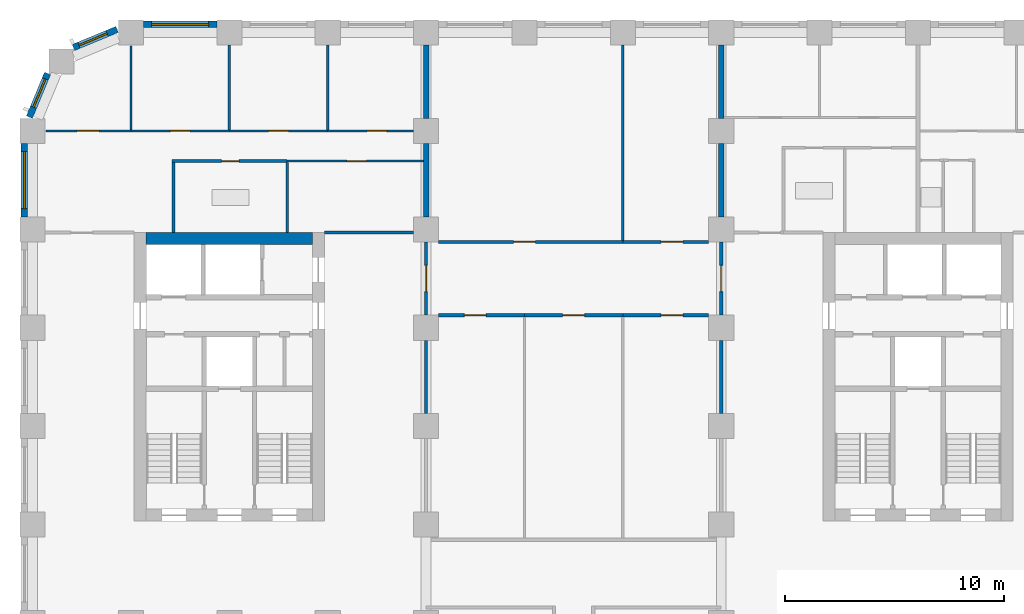
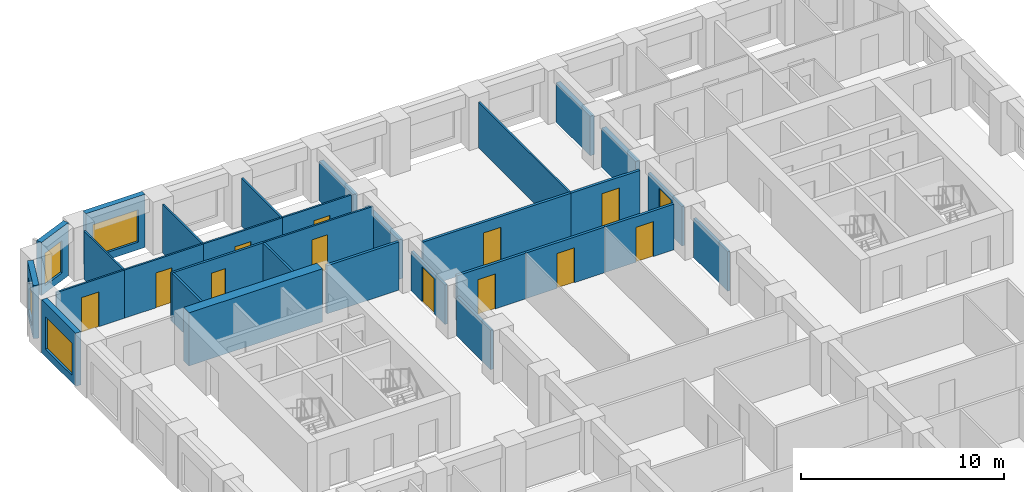
# One storey, part 7 of 13: 31 walls, 13 doors, 4 windows, 17 openings.
"""IFC4 building model written with IfcOpenShell, lengths in metres."""

from ifc_helpers import new_model, si_unit, direction, frame, frame_2d, origin, place, context, subcontext, project, spatial, rectangle, extrude, material, layer, layer_set, type_object, element, fill, save


model = new_model("IFC4")

# Units and contexts
model_context = context("Model", 3, precision=1e-05, world=origin(), true_north=direction((0.0, 1.0)))
body_context = subcontext(model_context, "Body", "Model", "MODEL_VIEW")
ifc_project = project(units=[si_unit("LENGTHUNIT", "METRE"), si_unit("AREAUNIT", "SQUARE_METRE"), si_unit("VOLUMEUNIT", "CUBIC_METRE"), si_unit("PLANEANGLEUNIT", "RADIAN"), si_unit("MASSUNIT", "GRAM", prefix="KILO")], contexts=[model_context])

# Site, building, storey
site_placement = place(None, origin())
site = spatial("IfcSite", under=ifc_project, at=site_placement, CompositionType="ELEMENT")
building_placement = place(site_placement, origin())
building = spatial("IfcBuilding", under=site, at=building_placement, Name="Girih Gate Residences", CompositionType="ELEMENT")
storey_placement = place(building_placement, frame((0.0, 0.0, 102.39990234375)))
storey = spatial("IfcBuildingStorey", under=building, at=storey_placement, Name="L28", CompositionType="ELEMENT", Elevation=102.39990234375)

# Walls
ifc_material_1 = material(Name="Gypsum board on steel studs", Category="steel")
ifc_layer_1 = layer(ifc_material_1, 0.25)
ifc_layer_set_1 = layer_set([ifc_layer_1], Name="Acoustic separating wall 250 mm")
wall_type_1 = type_object("IfcWallType", Name="Acoustic separating wall 250 mm", PredefinedType="PARTITIONING", material=ifc_layer_set_1)
for number, where, z_axis, x_axis, name in (
    (1, (18.0, 45.574951171875, 0.0), (0.0, 0.0, 1.0), (0.0, 1.0, 0.0), "L28 partition"),
    (2, (18.0, 41.074951171875, 0.0), (0.0, 0.0, 1.0), (0.0, 1.0, 0.0), "L28 partition"),
    (3, (31.5, 41.074951171875, 0.0), (0.0, 0.0, 1.0), (0.0, 1.0, 0.0), "L28 partition"),
):
    element("IfcWall", number, at=place(storey_placement, frame(where, z_axis=z_axis, x_axis=x_axis)), inside=storey, type_object=wall_type_1, Name=name, PredefinedType="PARTITIONING", context=body_context, shape_type="SweptSolid", body=[
        extrude(rectangle(XDim=3.35009765625, YDim=0.25, at=frame_2d((1.675048828125, 0.0))), origin(), (0.0, 0.0, 1.0), 2.380126953125),
    ])
wall_1_placement = place(storey_placement, frame((31.5, 45.56494140625, 0.0), z_axis=(0.0, 0.0, 1.0), x_axis=(0.0, 1.0, 0.0)))
element("IfcWall", 4, at=wall_1_placement, inside=storey, type_object=wall_type_1, Name="L28 partition", PredefinedType="PARTITIONING", context=body_context, shape_type="SweptSolid", body=[
    extrude(rectangle(XDim=3.360107421875, YDim=0.25, at=frame_2d((1.68017578125, 0.0))), origin(), (0.0, 0.0, 1.0), 2.380126953125),
])
ifc_layer_2 = layer(ifc_material_1, 0.14990234375)
ifc_layer_set_2 = layer_set([ifc_layer_2], Name="Compartment wall 150 mm")
wall_type_2 = type_object("IfcWallType", Name="Compartment wall 150 mm", PredefinedType="PARTITIONING", material=ifc_layer_set_2)
wall_2_placement = place(storey_placement, frame((13.35009765625, 40.35009765625, 0.0), z_axis=(0.0, 0.0, 1.0), x_axis=(1.0, 0.0, 0.0)))
element("IfcWall", 5, at=wall_2_placement, inside=storey, type_object=wall_type_2, Name="L28 partition", PredefinedType="PARTITIONING", context=body_context, shape_type="SweptSolid", body=[
    extrude(rectangle(XDim=4.074951171875, YDim=0.14990234375, at=frame_2d((2.03759765625, 0.0))), origin(), (0.0, 0.0, 1.0), 2.900146484375),
])

# Wall, opening, door
wall_3_placement = place(storey_placement, frame((18.574951171875, 39.925048828125, 0.0), z_axis=(0.0, 0.0, 1.0), x_axis=(1.0, 0.0, 0.0)))
wall_3 = element("IfcWall", 6, at=wall_3_placement, inside=storey, type_object=wall_type_2, Name="L28 partition", PredefinedType="PARTITIONING", context=body_context, shape_type="SweptSolid", body=[
    extrude(rectangle(XDim=8.425048828125, YDim=0.14990234375, at=frame_2d((4.21240234375, 0.0))), origin(), (0.0, 0.0, 1.0), 2.75),
])
opening_1_placement = place(wall_3_placement, frame((3.425048828125, 0.0, 0.0)))
opening_1 = element("IfcOpeningElement", 7, at=opening_1_placement, cuts=wall_3, Name="Opening A28-039", PredefinedType="OPENING", context=body_context, shape_type="SweptSolid", body=[
    extrude(rectangle(XDim=1.0, YDim=2.10009765625, at=frame_2d((0.5, 1.050048828125))), frame((0.0, 0.0849609375, 0.0), z_axis=(0.0, -1.0, 0.0), x_axis=(1.0, 0.0, 0.0)), (0.0, 0.0, 1.0), 0.169921875),
])
ifc_material_2 = material(Name="Timber, fire-rated core", Category="wood")
door_type_1 = type_object("IfcDoorType", Name="Amenity room door 1000x2100 FD30S", OperationType="NOTDEFINED", PredefinedType="DOOR", material=ifc_material_2)
door_1_placement = place(opening_1_placement, origin())
door_1 = element("IfcDoor", 8, at=door_1_placement, inside=storey, type_object=door_type_1, Name="Door A28-039", OperationType="SINGLE_SWING_LEFT", OverallHeight=2.10009765625, OverallWidth=1.0, PredefinedType="DOOR", context=body_context, shape_type="SweptSolid", body=[
    extrude(rectangle(XDim=1.0, YDim=2.10009765625, at=frame_2d((0.5, 1.050048828125))), frame((0.0, 0.02490234375, 0.0), z_axis=(0.0, -1.0, 0.0), x_axis=(1.0, 0.0, 0.0)), (0.0, 0.0, 1.0), 0.050048828125),
])
fill(opening_1, door_1)

wall_4_placement = place(storey_placement, frame((27.0, 39.925048828125, 0.0), z_axis=(0.0, 0.0, 1.0), x_axis=(1.0, 0.0, 0.0)))
wall_4 = element("IfcWall", 9, at=wall_4_placement, inside=storey, type_object=wall_type_2, Name="L28 partition", PredefinedType="PARTITIONING", context=body_context, shape_type="SweptSolid", body=[
    extrude(rectangle(XDim=3.925048828125, YDim=0.14990234375, at=frame_2d((1.96240234375, 0.0))), origin(), (0.0, 0.0, 1.0), 2.75),
])
opening_2_placement = place(wall_4_placement, frame((1.75, 0.0, 0.0)))
opening_2 = element("IfcOpeningElement", 10, at=opening_2_placement, cuts=wall_4, Name="Opening A28-040", PredefinedType="OPENING", context=body_context, shape_type="SweptSolid", body=[
    extrude(rectangle(XDim=1.0, YDim=2.10009765625, at=frame_2d((0.5, 1.050048828125))), frame((0.0, 0.0849609375, 0.0), z_axis=(0.0, -1.0, 0.0), x_axis=(1.0, 0.0, 0.0)), (0.0, 0.0, 1.0), 0.169921875),
])
door_2_placement = place(opening_2_placement, origin())
door_2 = element("IfcDoor", 11, at=door_2_placement, inside=storey, type_object=door_type_1, Name="Door A28-040", OperationType="SINGLE_SWING_RIGHT", OverallHeight=2.10009765625, OverallWidth=1.0, PredefinedType="DOOR", context=body_context, shape_type="SweptSolid", body=[
    extrude(rectangle(XDim=1.0, YDim=2.10009765625, at=frame_2d((0.5, 1.050048828125))), frame((0.0, 0.02490234375, 0.0), z_axis=(0.0, -1.0, 0.0), x_axis=(1.0, 0.0, 0.0)), (0.0, 0.0, 1.0), 0.050048828125),
])
fill(opening_2, door_2)

wall_5_placement = place(storey_placement, frame((22.5, 36.574951171875, 0.0), z_axis=(0.0, 0.0, 1.0), x_axis=(-1.0, 0.0, 0.0)))
wall_5 = element("IfcWall", 12, at=wall_5_placement, inside=storey, type_object=wall_type_2, Name="L28 partition", PredefinedType="PARTITIONING", context=body_context, shape_type="SweptSolid", body=[
    extrude(rectangle(XDim=3.925048828125, YDim=0.14990234375, at=frame_2d((1.96240234375, 0.0))), origin(), (0.0, 0.0, 1.0), 2.75),
])
opening_3_placement = place(wall_5_placement, frame((1.75, 0.0, 0.0)))
opening_3 = element("IfcOpeningElement", 13, at=opening_3_placement, cuts=wall_5, Name="Opening A28-041", PredefinedType="OPENING", context=body_context, shape_type="SweptSolid", body=[
    extrude(rectangle(XDim=1.0, YDim=2.10009765625, at=frame_2d((0.5, 1.050048828125))), frame((0.0, 0.0849609375, 0.0), z_axis=(0.0, -1.0, 0.0), x_axis=(1.0, 0.0, 0.0)), (0.0, 0.0, 1.0), 0.169921875),
])
door_3_placement = place(opening_3_placement, origin())
door_3 = element("IfcDoor", 14, at=door_3_placement, inside=storey, type_object=door_type_1, Name="Door A28-041", OperationType="SINGLE_SWING_RIGHT", OverallHeight=2.10009765625, OverallWidth=1.0, PredefinedType="DOOR", context=body_context, shape_type="SweptSolid", body=[
    extrude(rectangle(XDim=1.0, YDim=2.10009765625, at=frame_2d((0.5, 1.050048828125))), frame((0.0, 0.02490234375, 0.0), z_axis=(0.0, -1.0, 0.0), x_axis=(1.0, 0.0, 0.0)), (0.0, 0.0, 1.0), 0.050048828125),
])
fill(opening_3, door_3)

wall_6_placement = place(storey_placement, frame((27.0, 36.574951171875, 0.0), z_axis=(0.0, 0.0, 1.0), x_axis=(-1.0, 0.0, 0.0)))
wall_6 = element("IfcWall", 15, at=wall_6_placement, inside=storey, type_object=wall_type_2, Name="L28 partition", PredefinedType="PARTITIONING", context=body_context, shape_type="SweptSolid", body=[
    extrude(rectangle(XDim=4.5, YDim=0.14990234375, at=frame_2d((2.25, 0.0))), origin(), (0.0, 0.0, 1.0), 2.75),
])
opening_4_placement = place(wall_6_placement, frame((1.75, 0.0, 0.0)))
opening_4 = element("IfcOpeningElement", 16, at=opening_4_placement, cuts=wall_6, Name="Opening A28-042", PredefinedType="OPENING", context=body_context, shape_type="SweptSolid", body=[
    extrude(rectangle(XDim=1.0, YDim=2.10009765625, at=frame_2d((0.5, 1.050048828125))), frame((0.0, 0.0849609375, 0.0), z_axis=(0.0, -1.0, 0.0), x_axis=(1.0, 0.0, 0.0)), (0.0, 0.0, 1.0), 0.169921875),
])
door_4_placement = place(opening_4_placement, origin())
door_4 = element("IfcDoor", 17, at=door_4_placement, inside=storey, type_object=door_type_1, Name="Door A28-042", OperationType="SINGLE_SWING_RIGHT", OverallHeight=2.10009765625, OverallWidth=1.0, PredefinedType="DOOR", context=body_context, shape_type="SweptSolid", body=[
    extrude(rectangle(XDim=1.0, YDim=2.10009765625, at=frame_2d((0.5, 1.050048828125))), frame((0.0, 0.02490234375, 0.0), z_axis=(0.0, -1.0, 0.0), x_axis=(1.0, 0.0, 0.0)), (0.0, 0.0, 1.0), 0.050048828125),
])
fill(opening_4, door_4)

wall_7_placement = place(storey_placement, frame((30.925048828125, 36.574951171875, 0.0), z_axis=(0.0, 0.0, 1.0), x_axis=(-1.0, 0.0, 0.0)))
wall_7 = element("IfcWall", 18, at=wall_7_placement, inside=storey, type_object=wall_type_2, Name="L28 partition", PredefinedType="PARTITIONING", context=body_context, shape_type="SweptSolid", body=[
    extrude(rectangle(XDim=3.925048828125, YDim=0.14990234375, at=frame_2d((1.96240234375, 0.0))), origin(), (0.0, 0.0, 1.0), 2.75),
])
opening_5_placement = place(wall_7_placement, frame((1.175048828125, 0.0, 0.0)))
opening_5 = element("IfcOpeningElement", 19, at=opening_5_placement, cuts=wall_7, Name="Opening A28-043", PredefinedType="OPENING", context=body_context, shape_type="SweptSolid", body=[
    extrude(rectangle(XDim=1.0, YDim=2.10009765625, at=frame_2d((0.5, 1.050048828125))), frame((0.0, 0.0849609375, 0.0), z_axis=(0.0, -1.0, 0.0), x_axis=(1.0, 0.0, 0.0)), (0.0, 0.0, 1.0), 0.169921875),
])
door_5_placement = place(opening_5_placement, origin())
door_5 = element("IfcDoor", 20, at=door_5_placement, inside=storey, type_object=door_type_1, Name="Door A28-043", OperationType="SINGLE_SWING_LEFT", OverallHeight=2.10009765625, OverallWidth=1.0, PredefinedType="DOOR", context=body_context, shape_type="SweptSolid", body=[
    extrude(rectangle(XDim=1.0, YDim=2.10009765625, at=frame_2d((0.5, 1.050048828125))), frame((0.0, 0.02490234375, 0.0), z_axis=(0.0, -1.0, 0.0), x_axis=(1.0, 0.0, 0.0)), (0.0, 0.0, 1.0), 0.050048828125),
])
fill(opening_5, door_5)

wall_8_placement = place(storey_placement, frame((31.5, 36.574951171875, 0.0), z_axis=(0.0, 0.0, 1.0), x_axis=(0.0, 1.0, 0.0)))
wall_8 = element("IfcWall", 21, at=wall_8_placement, inside=storey, type_object=wall_type_2, Name="L28 partition", PredefinedType="PARTITIONING", context=body_context, shape_type="SweptSolid", body=[
    extrude(rectangle(XDim=3.35009765625, YDim=0.14990234375, at=frame_2d((1.675048828125, 0.0))), origin(), (0.0, 0.0, 1.0), 2.380126953125),
])
opening_6_placement = place(wall_8_placement, frame((1.074951171875, 0.0, 0.0)))
opening_6 = element("IfcOpeningElement", 22, at=opening_6_placement, cuts=wall_8, Name="Opening A28-044", PredefinedType="OPENING", context=body_context, shape_type="SweptSolid", body=[
    extrude(rectangle(XDim=1.199951171875, YDim=2.10009765625, at=frame_2d((0.60009765625, 1.050048828125))), frame((0.0, 0.0849609375, 0.0), z_axis=(0.0, -1.0, 0.0), x_axis=(1.0, 0.0, 0.0)), (0.0, 0.0, 1.0), 0.169921875),
])
door_type_2 = type_object("IfcDoorType", Name="Corridor fire door 1200x2100 FD30S", OperationType="NOTDEFINED", PredefinedType="DOOR", material=ifc_material_2)
door_6_placement = place(opening_6_placement, origin())
door_6 = element("IfcDoor", 23, at=door_6_placement, inside=storey, type_object=door_type_2, Name="Door A28-044", OperationType="SINGLE_SWING_LEFT", OverallHeight=2.10009765625, OverallWidth=1.199951171875, PredefinedType="DOOR", context=body_context, shape_type="SweptSolid", body=[
    extrude(rectangle(XDim=1.199951171875, YDim=2.10009765625, at=frame_2d((0.60009765625, 1.050048828125))), frame((0.0, 0.02490234375, 0.0), z_axis=(0.0, -1.0, 0.0), x_axis=(1.0, 0.0, 0.0)), (0.0, 0.0, 1.0), 0.050048828125),
])
fill(opening_6, door_6)

wall_9_placement = place(storey_placement, frame((18.0, 39.925048828125, 0.0), z_axis=(0.0, 0.0, 1.0), x_axis=(0.0, -1.0, 0.0)))
wall_9 = element("IfcWall", 24, at=wall_9_placement, inside=storey, type_object=wall_type_2, Name="L28 partition", PredefinedType="PARTITIONING", context=body_context, shape_type="SweptSolid", body=[
    extrude(rectangle(XDim=3.35009765625, YDim=0.14990234375, at=frame_2d((1.675048828125, 0.0))), origin(), (0.0, 0.0, 1.0), 2.380126953125),
])
opening_7_placement = place(wall_9_placement, frame((1.074951171875, 0.0, 0.0)))
opening_7 = element("IfcOpeningElement", 25, at=opening_7_placement, cuts=wall_9, Name="Opening A28-045", PredefinedType="OPENING", context=body_context, shape_type="SweptSolid", body=[
    extrude(rectangle(XDim=1.199951171875, YDim=2.10009765625, at=frame_2d((0.60009765625, 1.050048828125))), frame((0.0, 0.0849609375, 0.0), z_axis=(0.0, -1.0, 0.0), x_axis=(1.0, 0.0, 0.0)), (0.0, 0.0, 1.0), 0.169921875),
])
door_7_placement = place(opening_7_placement, origin())
door_7 = element("IfcDoor", 26, at=door_7_placement, inside=storey, type_object=door_type_2, Name="Door A28-045", OperationType="SINGLE_SWING_LEFT", OverallHeight=2.10009765625, OverallWidth=1.199951171875, PredefinedType="DOOR", context=body_context, shape_type="SweptSolid", body=[
    extrude(rectangle(XDim=1.199951171875, YDim=2.10009765625, at=frame_2d((0.60009765625, 1.050048828125))), frame((0.0, 0.02490234375, 0.0), z_axis=(0.0, -1.0, 0.0), x_axis=(1.0, 0.0, 0.0)), (0.0, 0.0, 1.0), 0.050048828125),
])
fill(opening_7, door_7)

# Walls
for number, where, z_axis, x_axis, name in (
    (27, (18.0, 32.074951171875, 0.0), (0.0, 0.0, 1.0), (0.0, 1.0, 0.0), "L28 partition"),
    (28, (31.5, 32.074951171875, 0.0), (0.0, 0.0, 1.0), (0.0, 1.0, 0.0), "L28 partition"),
):
    element("IfcWall", number, at=place(storey_placement, frame(where, z_axis=z_axis, x_axis=x_axis)), inside=storey, type_object=wall_type_2, Name=name, PredefinedType="PARTITIONING", context=body_context, shape_type="SweptSolid", body=[
        extrude(rectangle(XDim=3.35009765625, YDim=0.14990234375, at=frame_2d((1.675048828125, 0.0))), origin(), (0.0, 0.0, 1.0), 2.380126953125),
    ])
ifc_material_3 = material(Name="Concrete C60/75", Category="concrete")
ifc_layer_3 = layer(ifc_material_3, 0.550048828125)
ifc_layer_set_3 = layer_set([ifc_layer_3], Name="Core wall RC 550 Concrete C60/75")
wall_type_3 = type_object("IfcWallType", Name="Core wall RC 550 Concrete C60/75", PredefinedType="SOLIDWALL", material=ifc_layer_set_3)
wall_10_placement = place(storey_placement, frame((5.199951171875, 40.074951171875, 0.0), z_axis=(0.0, 0.0, 1.0), x_axis=(1.0, 0.0, 0.0)))
element("IfcWall", 29, at=wall_10_placement, inside=storey, type_object=wall_type_3, Name="Core wall W-N L28", PredefinedType="SOLIDWALL", context=body_context, shape_type="SweptSolid", body=[
    extrude(rectangle(XDim=7.60009765625, YDim=0.550048828125, at=frame_2d((3.800048828125, 0.0))), origin(), (0.0, 0.0, 1.0), 3.2001953125),
])
ifc_layer_4 = layer(ifc_material_1, 0.10009765625)
ifc_layer_set_4 = layer_set([ifc_layer_4], Name="Partition 100 mm")
wall_type_4 = type_object("IfcWallType", Name="Partition 100 mm", PredefinedType="PARTITIONING", material=ifc_layer_set_4)
wall_11_placement = place(storey_placement, frame((9.0, 45.050048828125, 0.0), z_axis=(0.0, 0.0, 1.0), x_axis=(0.0, 1.0, 0.0)))
element("IfcWall", 30, at=wall_11_placement, inside=storey, type_object=wall_type_4, Name="L28 partition", PredefinedType="PARTITIONING", context=body_context, shape_type="SweptSolid", body=[
    extrude(rectangle(XDim=3.875, YDim=0.10009765625, at=frame_2d((1.9375, 0.0))), origin(), (0.0, 0.0, 1.0), 2.900146484375),
])

# Wall, opening, door
wall_12_placement = place(storey_placement, frame((4.5, 45.0, 0.0), z_axis=(0.0, 0.0, 1.0), x_axis=(1.0, 0.0, 0.0)))
wall_12 = element("IfcWall", 31, at=wall_12_placement, inside=storey, type_object=wall_type_4, Name="L28 partition", PredefinedType="PARTITIONING", context=body_context, shape_type="SweptSolid", body=[
    extrude(rectangle(XDim=4.5, YDim=0.10009765625, at=frame_2d((2.25, 0.0))), origin(), (0.0, 0.0, 1.0), 2.900146484375),
])
opening_8_placement = place(wall_12_placement, frame((1.800048828125, 0.0, 0.0)))
opening_8 = element("IfcOpeningElement", 32, at=opening_8_placement, cuts=wall_12, Name="Opening A28-013", PredefinedType="OPENING", context=body_context, shape_type="SweptSolid", body=[
    extrude(rectangle(XDim=0.89990234375, YDim=2.10009765625, at=frame_2d((0.449951171875, 1.050048828125))), frame((0.0, 0.06005859375, 0.0), z_axis=(0.0, -1.0, 0.0), x_axis=(1.0, 0.0, 0.0)), (0.0, 0.0, 1.0), 0.1201171875),
])
ifc_material_4 = material(Name="Timber", Category="wood")
door_type_3 = type_object("IfcDoorType", Name="Bedroom door 900x2100", OperationType="NOTDEFINED", PredefinedType="DOOR", material=ifc_material_4)
door_8_placement = place(opening_8_placement, origin())
door_8 = element("IfcDoor", 33, at=door_8_placement, inside=storey, type_object=door_type_3, Name="Door A28-013", OperationType="SINGLE_SWING_RIGHT", OverallHeight=2.10009765625, OverallWidth=0.89990234375, PredefinedType="DOOR", context=body_context, shape_type="SweptSolid", body=[
    extrude(rectangle(XDim=0.89990234375, YDim=2.10009765625, at=frame_2d((0.449951171875, 1.050048828125))), frame((0.0, 0.02490234375, 0.0), z_axis=(0.0, -1.0, 0.0), x_axis=(1.0, 0.0, 0.0)), (0.0, 0.0, 1.0), 0.050048828125),
])
fill(opening_8, door_8)

# Walls
wall_13_placement = place(storey_placement, frame((4.5, 45.050048828125, 0.0), z_axis=(0.0, 0.0, 1.0), x_axis=(0.0, 1.0, 0.0)))
element("IfcWall", 34, at=wall_13_placement, inside=storey, type_object=wall_type_4, Name="L28 partition", PredefinedType="PARTITIONING", context=body_context, shape_type="SweptSolid", body=[
    extrude(rectangle(XDim=3.82763671875, YDim=0.10009765625, at=frame_2d((1.913818359375, 0.0))), origin(), (0.0, 0.0, 1.0), 2.900146484375),
])
wall_14_placement = place(storey_placement, frame((13.5, 45.050048828125, 0.0), z_axis=(0.0, 0.0, 1.0), x_axis=(0.0, 1.0, 0.0)))
element("IfcWall", 35, at=wall_14_placement, inside=storey, type_object=wall_type_4, Name="L28 partition", PredefinedType="PARTITIONING", context=body_context, shape_type="SweptSolid", body=[
    extrude(rectangle(XDim=3.875, YDim=0.10009765625, at=frame_2d((1.9375, 0.0))), origin(), (0.0, 0.0, 1.0), 2.900146484375),
])

# Wall, opening, door
wall_15_placement = place(storey_placement, frame((9.0, 45.0, 0.0), z_axis=(0.0, 0.0, 1.0), x_axis=(1.0, 0.0, 0.0)))
wall_15 = element("IfcWall", 36, at=wall_15_placement, inside=storey, type_object=wall_type_4, Name="L28 partition", PredefinedType="PARTITIONING", context=body_context, shape_type="SweptSolid", body=[
    extrude(rectangle(XDim=4.5, YDim=0.10009765625, at=frame_2d((2.25, 0.0))), origin(), (0.0, 0.0, 1.0), 2.900146484375),
])
opening_9_placement = place(wall_15_placement, frame((1.800048828125, 0.0, 0.0)))
opening_9 = element("IfcOpeningElement", 37, at=opening_9_placement, cuts=wall_15, Name="Opening A28-014", PredefinedType="OPENING", context=body_context, shape_type="SweptSolid", body=[
    extrude(rectangle(XDim=0.89990234375, YDim=2.10009765625, at=frame_2d((0.449951171875, 1.050048828125))), frame((0.0, 0.06005859375, 0.0), z_axis=(0.0, -1.0, 0.0), x_axis=(1.0, 0.0, 0.0)), (0.0, 0.0, 1.0), 0.1201171875),
])
door_9_placement = place(opening_9_placement, origin())
door_9 = element("IfcDoor", 38, at=door_9_placement, inside=storey, type_object=door_type_3, Name="Door A28-014", OperationType="SINGLE_SWING_LEFT", OverallHeight=2.10009765625, OverallWidth=0.89990234375, PredefinedType="DOOR", context=body_context, shape_type="SweptSolid", body=[
    extrude(rectangle(XDim=0.89990234375, YDim=2.10009765625, at=frame_2d((0.449951171875, 1.050048828125))), frame((0.0, 0.02490234375, 0.0), z_axis=(0.0, -1.0, 0.0), x_axis=(1.0, 0.0, 0.0)), (0.0, 0.0, 1.0), 0.050048828125),
])
fill(opening_9, door_9)

wall_16_placement = place(storey_placement, frame((13.5, 45.0, 0.0), z_axis=(0.0, 0.0, 1.0), x_axis=(1.0, 0.0, 0.0)))
wall_16 = element("IfcWall", 39, at=wall_16_placement, inside=storey, type_object=wall_type_4, Name="L28 partition", PredefinedType="PARTITIONING", context=body_context, shape_type="SweptSolid", body=[
    extrude(rectangle(XDim=3.925048828125, YDim=0.10009765625, at=frame_2d((1.96240234375, 0.0))), origin(), (0.0, 0.0, 1.0), 2.900146484375),
])
opening_10_placement = place(wall_16_placement, frame((1.800048828125, 0.0, 0.0)))
opening_10 = element("IfcOpeningElement", 40, at=opening_10_placement, cuts=wall_16, Name="Opening A28-015", PredefinedType="OPENING", context=body_context, shape_type="SweptSolid", body=[
    extrude(rectangle(XDim=0.89990234375, YDim=2.10009765625, at=frame_2d((0.449951171875, 1.050048828125))), frame((0.0, 0.06005859375, 0.0), z_axis=(0.0, -1.0, 0.0), x_axis=(1.0, 0.0, 0.0)), (0.0, 0.0, 1.0), 0.1201171875),
])
door_10_placement = place(opening_10_placement, origin())
door_10 = element("IfcDoor", 41, at=door_10_placement, inside=storey, type_object=door_type_3, Name="Door A28-015", OperationType="SINGLE_SWING_RIGHT", OverallHeight=2.10009765625, OverallWidth=0.89990234375, PredefinedType="DOOR", context=body_context, shape_type="SweptSolid", body=[
    extrude(rectangle(XDim=0.89990234375, YDim=2.10009765625, at=frame_2d((0.449951171875, 1.050048828125))), frame((0.0, 0.02490234375, 0.0), z_axis=(0.0, -1.0, 0.0), x_axis=(1.0, 0.0, 0.0)), (0.0, 0.0, 1.0), 0.050048828125),
])
fill(opening_10, door_10)

wall_17_placement = place(storey_placement, frame((17.875, 43.6201171875, 0.0), z_axis=(0.0, 0.0, 1.0), x_axis=(-1.0, 0.0, 0.0)))
wall_17 = element("IfcWall", 42, at=wall_17_placement, inside=storey, type_object=wall_type_4, Name="L28 partition", PredefinedType="PARTITIONING", context=body_context, shape_type="SweptSolid", body=[
    extrude(rectangle(XDim=6.22998046875, YDim=0.10009765625, at=frame_2d((3.114990234375, 0.0))), origin(), (0.0, 0.0, 1.0), 2.900146484375),
])
opening_11_placement = place(wall_17_placement, frame((2.602294921875, 0.0, 0.0)))
opening_11 = element("IfcOpeningElement", 43, at=opening_11_placement, cuts=wall_17, Name="Opening A28-016", PredefinedType="OPENING", context=body_context, shape_type="SweptSolid", body=[
    extrude(rectangle(XDim=0.89990234375, YDim=2.10009765625, at=frame_2d((0.449951171875, 1.050048828125))), frame((0.0, 0.06005859375, 0.0), z_axis=(0.0, -1.0, 0.0), x_axis=(1.0, 0.0, 0.0)), (0.0, 0.0, 1.0), 0.1201171875),
])
door_type_4 = type_object("IfcDoorType", Name="Kitchen door 900x2100", OperationType="NOTDEFINED", PredefinedType="DOOR", material=ifc_material_4)
door_11_placement = place(opening_11_placement, origin())
door_11 = element("IfcDoor", 44, at=door_11_placement, inside=storey, type_object=door_type_4, Name="Door A28-016", OperationType="SINGLE_SWING_LEFT", OverallHeight=2.10009765625, OverallWidth=0.89990234375, PredefinedType="DOOR", context=body_context, shape_type="SweptSolid", body=[
    extrude(rectangle(XDim=0.89990234375, YDim=2.10009765625, at=frame_2d((0.449951171875, 1.050048828125))), frame((0.0, 0.02490234375, 0.0), z_axis=(0.0, -1.0, 0.0), x_axis=(1.0, 0.0, 0.0)), (0.0, 0.0, 1.0), 0.050048828125),
])
fill(opening_11, door_11)

wall_18_placement = place(storey_placement, frame((0.622314453125, 45.0, 0.0), z_axis=(0.0, 0.0, 1.0), x_axis=(1.0, 0.0, 0.0)))
wall_18 = element("IfcWall", 45, at=wall_18_placement, inside=storey, type_object=wall_type_4, Name="L28 partition", PredefinedType="PARTITIONING", context=body_context, shape_type="SweptSolid", body=[
    extrude(rectangle(XDim=3.877685546875, YDim=0.10009765625, at=frame_2d((1.93896484375, 0.0))), origin(), (0.0, 0.0, 1.0), 2.900146484375),
])
opening_12_placement = place(wall_18_placement, frame((1.4150390625, 0.0, 0.0)))
opening_12 = element("IfcOpeningElement", 46, at=opening_12_placement, cuts=wall_18, Name="Opening A28-017", PredefinedType="OPENING", context=body_context, shape_type="SweptSolid", body=[
    extrude(rectangle(XDim=1.0, YDim=2.10009765625, at=frame_2d((0.5, 1.050048828125))), frame((0.0, 0.06005859375, 0.0), z_axis=(0.0, -1.0, 0.0), x_axis=(1.0, 0.0, 0.0)), (0.0, 0.0, 1.0), 0.1201171875),
])
door_type_5 = type_object("IfcDoorType", Name="Living room door 1000x2100", OperationType="NOTDEFINED", PredefinedType="DOOR", material=ifc_material_4)
door_12_placement = place(opening_12_placement, origin())
door_12 = element("IfcDoor", 47, at=door_12_placement, inside=storey, type_object=door_type_5, Name="Door A28-017", OperationType="SINGLE_SWING_LEFT", OverallHeight=2.10009765625, OverallWidth=1.0, PredefinedType="DOOR", context=body_context, shape_type="SweptSolid", body=[
    extrude(rectangle(XDim=1.0, YDim=2.10009765625, at=frame_2d((0.5, 1.050048828125))), frame((0.0, 0.02490234375, 0.0), z_axis=(0.0, -1.0, 0.0), x_axis=(1.0, 0.0, 0.0)), (0.0, 0.0, 1.0), 0.050048828125),
])
fill(opening_12, door_12)

# Wall
wall_19_placement = place(storey_placement, frame((27.0, 40.0, 0.0), z_axis=(0.0, 0.0, 1.0), x_axis=(0.0, 1.0, 0.0)))
element("IfcWall", 48, at=wall_19_placement, inside=storey, type_object=wall_type_4, Name="L28 partition", PredefinedType="PARTITIONING", context=body_context, shape_type="SweptSolid", body=[
    extrude(rectangle(XDim=8.925048828125, YDim=0.10009765625, at=frame_2d((4.46240234375, 0.0))), origin(), (0.0, 0.0, 1.0), 2.75),
])

# Wall, opening, window
ifc_material_5 = material(Name="Precast concrete C50/60", Category="concrete")
ifc_layer_5 = layer(ifc_material_5, 0.080078125, Name="Outer leaf")
ifc_material_6 = material(Name="Rigid PIR insulation")
ifc_layer_6 = layer(ifc_material_6, 0.14990234375, Name="Insulation")
ifc_material_7 = material(Name="Precast concrete C40/50", Category="concrete")
ifc_layer_7 = layer(ifc_material_7, 0.070068359375, Name="Inner leaf")
ifc_layer_set_5 = layer_set([ifc_layer_5, ifc_layer_6, ifc_layer_7], Name="Precast concrete C50/60 external wall 300")
wall_type_5 = type_object("IfcWallType", Name="Precast concrete C50/60 external wall 300", PredefinedType="SOLIDWALL", material=ifc_layer_set_5)
wall_20_placement = place(storey_placement, frame((5.074951171875, 49.875, 0.0), z_axis=(0.0, 0.0, 1.0), x_axis=(1.0, 0.0, 0.0)))
wall_20 = element("IfcWall", 49, at=wall_20_placement, inside=storey, type_object=wall_type_5, Name="External wall N0450_0495.8", PredefinedType="SOLIDWALL", context=body_context, shape_type="SweptSolid", body=[
    extrude(rectangle(XDim=3.35009765625, YDim=0.300048828125, at=frame_2d((1.675048828125, 0.0))), origin(), (0.0, 0.0, 1.0), 3.2001953125),
])
opening_13_placement = place(wall_20_placement, frame((0.375, 0.0, 0.449951171875)))
opening_13 = element("IfcOpeningElement", 50, at=opening_13_placement, cuts=wall_20, Name="Opening W-1A", PredefinedType="OPENING", context=body_context, shape_type="SweptSolid", body=[
    extrude(rectangle(XDim=2.60009765625, YDim=1.949951171875, at=frame_2d((1.300048828125, 0.97509765625))), frame((0.0, 0.159912109375, 0.0), z_axis=(0.0, -1.0, 0.0), x_axis=(1.0, 0.0, 0.0)), (0.0, 0.0, 1.0), 0.320068359375),
])
ifc_material_8 = material(Name="Double glazing in aluminium frame", Category="aluminium")
window_type_1 = type_object("IfcWindowType", Name="Window W-1A 2600x1950", PartitioningType="SINGLE_PANEL", PredefinedType="WINDOW", material=ifc_material_8)
window_1_placement = place(opening_13_placement, origin())
window_1 = element("IfcWindow", 51, at=window_1_placement, inside=storey, type_object=window_type_1, Name="Window W-1A N0450_0495.8", OverallHeight=1.949951171875, OverallWidth=2.60009765625, PartitioningType="SINGLE_PANEL", PredefinedType="WINDOW", context=body_context, shape_type="SweptSolid", body=[
    extrude(rectangle(XDim=2.60009765625, YDim=1.949951171875, at=frame_2d((1.300048828125, 0.97509765625))), frame((0.0, 0.030029296875, 0.0), z_axis=(0.0, -1.0, 0.0), x_axis=(1.0, 0.0, 0.0)), (0.0, 0.0, 1.0), 0.06005859375),
])
fill(opening_13, window_1)

wall_21_placement = place(storey_placement, frame((1.86865234375, 48.81591796875, 0.0), z_axis=(0.0, 0.0, 1.0), x_axis=(0.923862802911, 0.382723818695, 0.0)))
wall_21 = element("IfcWall", 52, at=wall_21_placement, inside=storey, type_object=wall_type_5, Name="External wall NW0045_0495.0", PredefinedType="SOLIDWALL", context=body_context, shape_type="SweptSolid", body=[
    extrude(rectangle(XDim=2.163818359375, YDim=0.300048828125, at=frame_2d((1.08203125, 0.0))), origin(), (0.0, 0.0, 1.0), 3.2001953125),
])
opening_14_placement = place(wall_21_placement, frame((0.270751953125, 0.0, 0.449951171875)))
opening_14 = element("IfcOpeningElement", 53, at=opening_14_placement, cuts=wall_21, Name="Opening W-2D", PredefinedType="OPENING", context=body_context, shape_type="SweptSolid", body=[
    extrude(rectangle(XDim=1.39990234375, YDim=1.949951171875, at=frame_2d((0.699951171875, 0.97509765625))), frame((0.0, 0.159912109375, 0.0), z_axis=(0.0, -1.0, 0.0), x_axis=(1.0, 0.0, 0.0)), (0.0, 0.0, 1.0), 0.320068359375),
])
window_type_2 = type_object("IfcWindowType", Name="Window W-2D 1400x1950", PartitioningType="SINGLE_PANEL", PredefinedType="WINDOW", material=ifc_material_8)
window_2_placement = place(opening_14_placement, origin())
window_2 = element("IfcWindow", 54, at=window_2_placement, inside=storey, type_object=window_type_2, Name="Window W-2D NW0045_0495.0", OverallHeight=1.949951171875, OverallWidth=1.39990234375, PartitioningType="SINGLE_PANEL", PredefinedType="WINDOW", context=body_context, shape_type="SweptSolid", body=[
    extrude(rectangle(XDim=1.39990234375, YDim=1.949951171875, at=frame_2d((0.699951171875, 0.97509765625))), frame((0.0, 0.030029296875, 0.0), z_axis=(0.0, -1.0, 0.0), x_axis=(1.0, 0.0, 0.0)), (0.0, 0.0, 1.0), 0.06005859375),
])
fill(opening_14, window_2)

wall_22_placement = place(storey_placement, frame((-0.14404296875, 45.63232421875, 0.0), z_axis=(0.0, 0.0, 1.0), x_axis=(0.382723818695, 0.923862802911, 0.0)))
wall_22 = element("IfcWall", 55, at=wall_22_placement, inside=storey, type_object=wall_type_5, Name="External wall NW0013_0482.0", PredefinedType="SOLIDWALL", context=body_context, shape_type="SweptSolid", body=[
    extrude(rectangle(XDim=2.163818359375, YDim=0.300048828125, at=frame_2d((1.08203125, 0.0))), origin(), (0.0, 0.0, 1.0), 3.2001953125),
])
opening_15_placement = place(wall_22_placement, frame((0.492919921875, 0.0, 0.449951171875)))
opening_15 = element("IfcOpeningElement", 56, at=opening_15_placement, cuts=wall_22, Name="Opening W-2D", PredefinedType="OPENING", context=body_context, shape_type="SweptSolid", body=[
    extrude(rectangle(XDim=1.39990234375, YDim=1.949951171875, at=frame_2d((0.699951171875, 0.97509765625))), frame((0.0, 0.159912109375, 0.0), z_axis=(0.0, -1.0, 0.0), x_axis=(1.0, 0.0, 0.0)), (0.0, 0.0, 1.0), 0.320068359375),
])
window_3_placement = place(opening_15_placement, origin())
window_3 = element("IfcWindow", 57, at=window_3_placement, inside=storey, type_object=window_type_2, Name="Window W-2D NW0013_0482.0", OverallHeight=1.949951171875, OverallWidth=1.39990234375, PartitioningType="SINGLE_PANEL", PredefinedType="WINDOW", context=body_context, shape_type="SweptSolid", body=[
    extrude(rectangle(XDim=1.39990234375, YDim=1.949951171875, at=frame_2d((0.699951171875, 0.97509765625))), frame((0.0, 0.030029296875, 0.0), z_axis=(0.0, -1.0, 0.0), x_axis=(1.0, 0.0, 0.0)), (0.0, 0.0, 1.0), 0.06005859375),
])
fill(opening_15, window_3)

wall_23_placement = place(storey_placement, frame((-0.375, 41.074951171875, 0.0), z_axis=(0.0, 0.0, 1.0), x_axis=(0.0, 1.0, 0.0)))
wall_23 = element("IfcWall", 58, at=wall_23_placement, inside=storey, type_object=wall_type_5, Name="External wall W0000_0450.0", PredefinedType="SOLIDWALL", context=body_context, shape_type="SweptSolid", body=[
    extrude(rectangle(XDim=3.35009765625, YDim=0.300048828125, at=frame_2d((1.675048828125, 0.0))), origin(), (0.0, 0.0, 1.0), 3.2001953125),
])
opening_16_placement = place(wall_23_placement, frame((0.375, 0.0, 0.449951171875)))
opening_16 = element("IfcOpeningElement", 59, at=opening_16_placement, cuts=wall_23, Name="Opening W-1A", PredefinedType="OPENING", context=body_context, shape_type="SweptSolid", body=[
    extrude(rectangle(XDim=2.60009765625, YDim=1.949951171875, at=frame_2d((1.300048828125, 0.97509765625))), frame((0.0, 0.159912109375, 0.0), z_axis=(0.0, -1.0, 0.0), x_axis=(1.0, 0.0, 0.0)), (0.0, 0.0, 1.0), 0.320068359375),
])
window_4_placement = place(opening_16_placement, origin())
window_4 = element("IfcWindow", 60, at=window_4_placement, inside=storey, type_object=window_type_1, Name="Window W-1A W0000_0450.0", OverallHeight=1.949951171875, OverallWidth=2.60009765625, PartitioningType="SINGLE_PANEL", PredefinedType="WINDOW", context=body_context, shape_type="SweptSolid", body=[
    extrude(rectangle(XDim=2.60009765625, YDim=1.949951171875, at=frame_2d((1.300048828125, 0.97509765625))), frame((0.0, 0.030029296875, 0.0), z_axis=(0.0, -1.0, 0.0), x_axis=(1.0, 0.0, 0.0)), (0.0, 0.0, 1.0), 0.06005859375),
])
fill(opening_16, window_4)

# Wall
ifc_layer_8 = layer(ifc_material_1, 0.125)
ifc_layer_set_6 = layer_set([ifc_layer_8], Name="Wet room wall 125 mm")
wall_type_6 = type_object("IfcWallType", Name="Wet room wall 125 mm", PredefinedType="PARTITIONING", material=ifc_layer_set_6)
wall_24_placement = place(storey_placement, frame((6.449951171875, 40.35009765625, 0.0), z_axis=(0.0, 0.0, 1.0), x_axis=(0.0, 1.0, 0.0)))
element("IfcWall", 61, at=wall_24_placement, inside=storey, type_object=wall_type_6, Name="L28 partition", PredefinedType="PARTITIONING", context=body_context, shape_type="SweptSolid", body=[
    extrude(rectangle(XDim=3.20751953125, YDim=0.125, at=frame_2d((1.603759765625, 0.0))), origin(), (0.0, 0.0, 1.0), 2.900146484375),
])

# Wall, opening, door
wall_25_placement = place(storey_placement, frame((11.64501953125, 43.6201171875, 0.0), z_axis=(0.0, 0.0, 1.0), x_axis=(-1.0, 0.0, 0.0)))
wall_25 = element("IfcWall", 62, at=wall_25_placement, inside=storey, type_object=wall_type_6, Name="L28 partition", PredefinedType="PARTITIONING", context=body_context, shape_type="SweptSolid", body=[
    extrude(rectangle(XDim=5.257568359375, YDim=0.125, at=frame_2d((2.62890625, 0.0))), origin(), (0.0, 0.0, 1.0), 2.900146484375),
])
opening_17_placement = place(wall_25_placement, frame((2.197509765625, 0.0, 0.0)))
opening_17 = element("IfcOpeningElement", 63, at=opening_17_placement, cuts=wall_25, Name="Opening A28-012", PredefinedType="OPENING", context=body_context, shape_type="SweptSolid", body=[
    extrude(rectangle(XDim=0.800048828125, YDim=2.10009765625, at=frame_2d((0.39990234375, 1.050048828125))), frame((0.0, 0.072509765625, 0.0), z_axis=(0.0, -1.0, 0.0), x_axis=(1.0, 0.0, 0.0)), (0.0, 0.0, 1.0), 0.14501953125),
])
door_type_6 = type_object("IfcDoorType", Name="Bathroom door 800x2100", OperationType="NOTDEFINED", PredefinedType="DOOR", material=ifc_material_4)
door_13_placement = place(opening_17_placement, origin())
door_13 = element("IfcDoor", 64, at=door_13_placement, inside=storey, type_object=door_type_6, Name="Door A28-012", OperationType="SINGLE_SWING_LEFT", OverallHeight=2.10009765625, OverallWidth=0.800048828125, PredefinedType="DOOR", context=body_context, shape_type="SweptSolid", body=[
    extrude(rectangle(XDim=0.800048828125, YDim=2.10009765625, at=frame_2d((0.39990234375, 1.050048828125))), frame((0.0, 0.02490234375, 0.0), z_axis=(0.0, -1.0, 0.0), x_axis=(1.0, 0.0, 0.0)), (0.0, 0.0, 1.0), 0.050048828125),
])
fill(opening_17, door_13)

# Wall
wall_26_placement = place(storey_placement, frame((11.64501953125, 40.35009765625, 0.0), z_axis=(0.0, 0.0, 1.0), x_axis=(0.0, 1.0, 0.0)))
element("IfcWall", 65, at=wall_26_placement, inside=storey, type_object=wall_type_6, Name="L28 partition", PredefinedType="PARTITIONING", context=body_context, shape_type="SweptSolid", body=[
    extrude(rectangle(XDim=3.20751953125, YDim=0.125, at=frame_2d((1.603759765625, 0.0))), origin(), (0.0, 0.0, 1.0), 2.900146484375),
])

save(model, "model.ifc")
